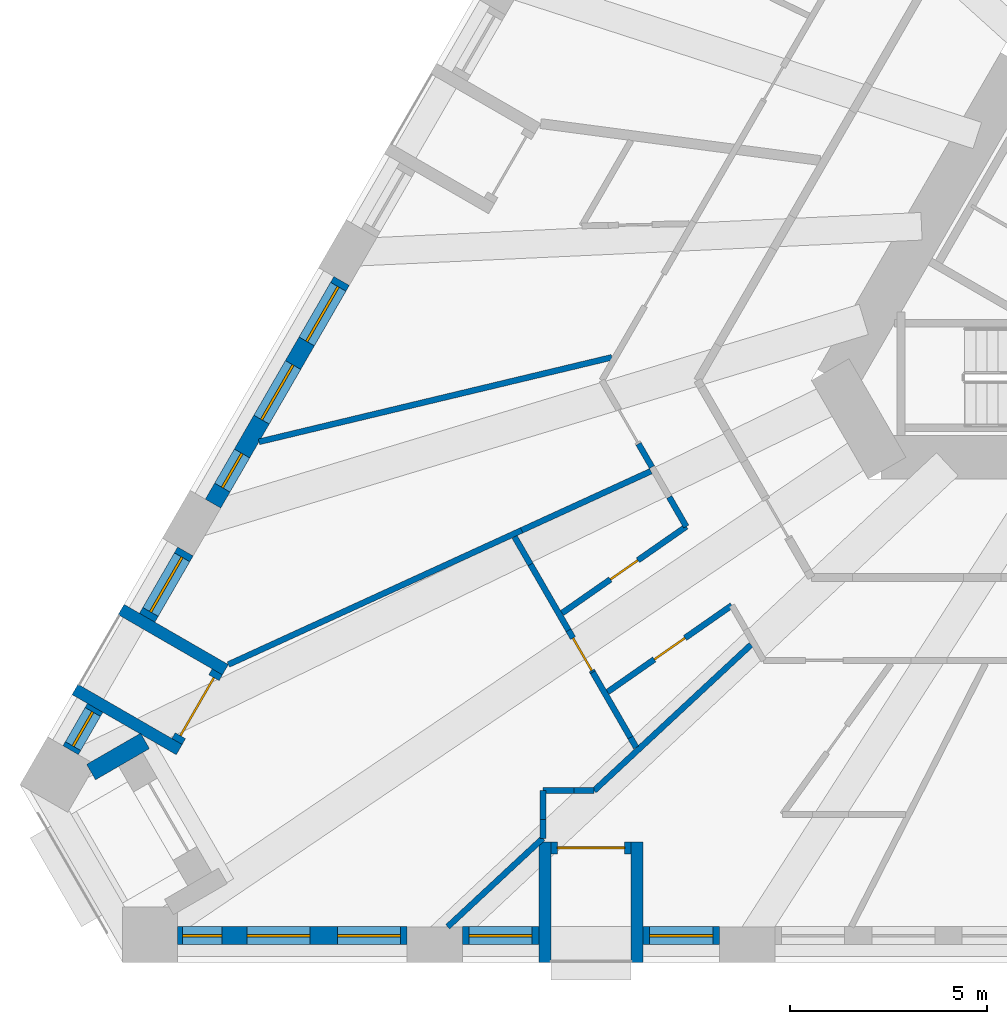
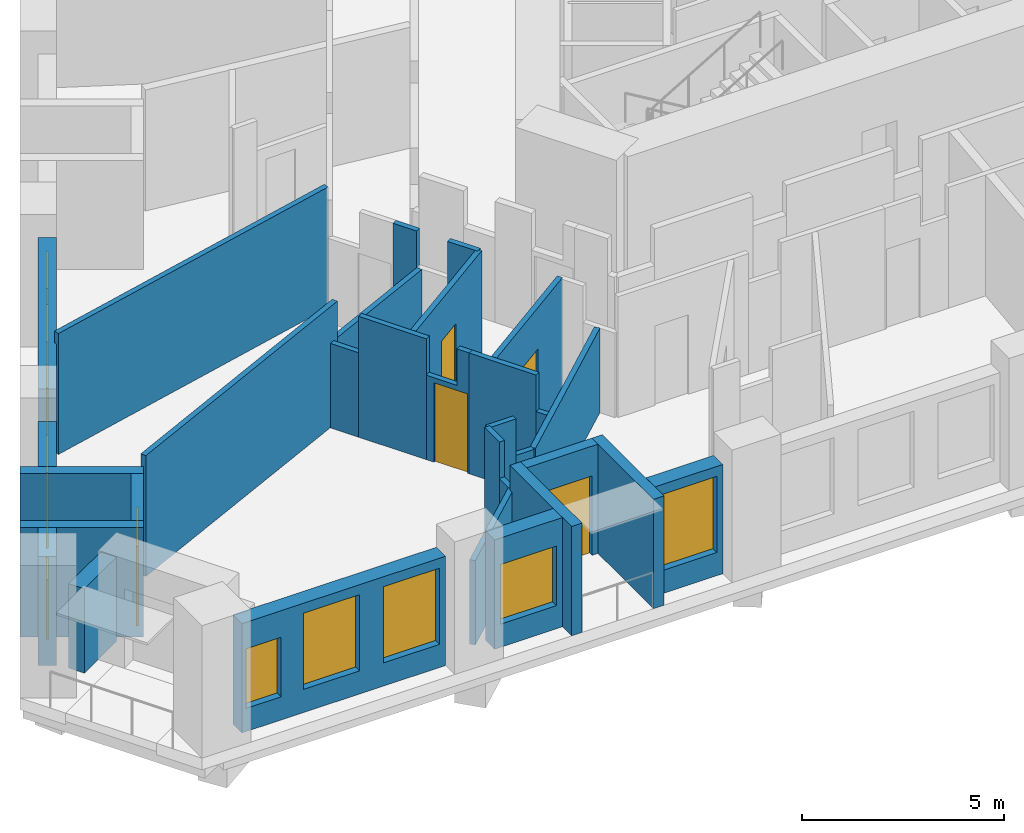
# One storey, part 2 of 14: 31 walls, 10 windows, 5 doors, 15 openings.
"""IFC4 building model written with IfcOpenShell, lengths in metres."""

import ifcopenshell
import ifcopenshell.guid

model = None  # the IFC model being written
_history = None  # IfcOwnerHistory: only IFC2X3 demands one
_inside = {}  # id of a spatial element -> (the spatial element, [elements in it])
_under = {}  # id of a project, library or spatial element -> (it, [spatial elements below it])
_declared = {}  # id of a project -> (the project, [libraries it declares])
_typed = {}  # id of a type object -> (the type object, [elements of that type])
_made_of = {}  # id of a material, layer set ... -> (it, [elements and type objects made of it])


def new_model(schema):
    """Start an empty IFC model of exactly this schema.

    Asked for "IFC4X3", IfcOpenShell would pick the latest addendum, in which some entities
    have other attributes; the version numbers below select the first issue.
    IFC2X3 requires an IfcOwnerHistory on every rooted entity: one is made here for all.
    """
    global model, _history
    if schema == "IFC4X3":
        model = ifcopenshell.file(schema_version=(4, 3, 0, 0))
    else:
        model = ifcopenshell.file(schema=schema)
    _inside.clear()
    _under.clear()
    _declared.clear()
    _typed.clear()
    _made_of.clear()
    _history = None
    if model.schema == "IFC2X3":
        org = make("IfcOrganization", Name="unknown")
        user = make(
            "IfcPersonAndOrganization",
            ThePerson=make("IfcPerson", FamilyName="unknown"),
            TheOrganization=org,
        )
        app = make(
            "IfcApplication",
            ApplicationDeveloper=org,
            Version="unknown",
            ApplicationFullName="unknown",
            ApplicationIdentifier="unknown",
        )
        _history = make(
            "IfcOwnerHistory",
            OwningUser=user,
            OwningApplication=app,
            ChangeAction="ADDED",
            CreationDate=0,
        )
    return model


def make(cls, **values):
    """One entity of the class cls with the attributes given. An attribute that is None is left unset."""
    return model.create_entity(
        cls, **{name: value for name, value in values.items() if value is not None}
    )


def rooted(cls, **values):
    """An entity with a GlobalId (a new one), such as an element, a storey or a relation."""
    return make(cls, GlobalId=ifcopenshell.guid.new(), OwnerHistory=_history, **values)


def si_unit(unit_type, name, prefix=None):
    """IfcSIUnit, for example si_unit("LENGTHUNIT", "METRE", prefix="MILLI")."""
    return make("IfcSIUnit", UnitType=unit_type, Prefix=prefix, Name=name)


def assignment(units):
    """IfcUnitAssignment: the units of a project."""
    return None if units is None else make("IfcUnitAssignment", Units=units)


def point(xyz):
    """IfcCartesianPoint."""
    return None if xyz is None else make("IfcCartesianPoint", Coordinates=xyz)


def direction(xyz):
    """IfcDirection."""
    return None if xyz is None else make("IfcDirection", DirectionRatios=xyz)


def frame(location, z_axis=None, x_axis=None):
    """IfcAxis2Placement3D, a coordinate frame: its origin and axes. An axis left out is left unset."""
    return make(
        "IfcAxis2Placement3D",
        Location=point(location),
        Axis=direction(z_axis),
        RefDirection=direction(x_axis),
    )


def frame_2d(location, x_axis=None):
    """IfcAxis2Placement2D, a coordinate frame in the plane: its origin and x axis."""
    return make(
        "IfcAxis2Placement2D", Location=point(location), RefDirection=direction(x_axis)
    )


def origin():
    """The frame at (0, 0, 0) with its axes left unset."""
    return frame((0.0, 0.0, 0.0))


def place(relative_to, where):
    """IfcLocalPlacement: puts the frame where relative to a parent placement (None: the world)."""
    return make(
        "IfcLocalPlacement", PlacementRelTo=relative_to, RelativePlacement=where
    )


def context(
    kind, dimensions, precision=None, world=None, true_north=None, identifier=None
):
    """IfcGeometricRepresentationContext, for example the 3D "Model" context."""
    return make(
        "IfcGeometricRepresentationContext",
        ContextIdentifier=identifier,
        ContextType=kind,
        CoordinateSpaceDimension=dimensions,
        Precision=precision,
        WorldCoordinateSystem=world,
        TrueNorth=true_north,
    )


def subcontext(parent, identifier, kind, view, scale=None):
    """IfcGeometricRepresentationSubContext, for example "Body" below "Model"."""
    return make(
        "IfcGeometricRepresentationSubContext",
        ContextIdentifier=identifier,
        ContextType=kind,
        ParentContext=parent,
        TargetScale=scale,
        TargetView=view,
    )


def project(units=None, contexts=None):
    """IfcProject with its units and contexts."""
    return rooted(
        "IfcProject",
        Name="project",
        RepresentationContexts=contexts,
        UnitsInContext=assignment(units),
    )


def spatial(cls, under=None, at=None, **own):
    """A site, building, storey or space (cls), placed at a placement, below another one or the project."""
    s = rooted(cls, ObjectPlacement=at, **own)
    if under is not None:
        _under.setdefault(under.id(), (under, []))[1].append(s)
    return s


def polyline(points):
    """IfcPolyline through the points."""
    return make("IfcPolyline", Points=[point(p) for p in points])


def profile(cls, at=None, kind="AREA", **sizes):
    """A parametric profile (cls). Its sizes go by their IFC names, for example OverallWidth=200.0."""
    return make(cls, ProfileType=kind, Position=at, **sizes)


def rectangle(**sizes):
    """IfcRectangleProfileDef."""
    return profile("IfcRectangleProfileDef", **sizes)


def outline(outer, holes=None, kind="AREA"):
    """IfcArbitraryClosedProfileDef: a profile drawn as a closed curve; with holes, ...WithVoids."""
    if holes is None:
        return make("IfcArbitraryClosedProfileDef", ProfileType=kind, OuterCurve=outer)
    return make(
        "IfcArbitraryProfileDefWithVoids",
        ProfileType=kind,
        OuterCurve=outer,
        InnerCurves=holes,
    )


def extrude(swept, where, along, depth):
    """IfcExtrudedAreaSolid: the profile swept, set in the frame where, extruded along a direction by depth."""
    return make(
        "IfcExtrudedAreaSolid",
        SweptArea=swept,
        Position=where,
        ExtrudedDirection=direction(along),
        Depth=depth,
    )


def shape(context_of_items, identifier, shape_type, items):
    """IfcShapeRepresentation: the items that make up one representation, for example the "Body"."""
    return make(
        "IfcShapeRepresentation",
        ContextOfItems=context_of_items,
        RepresentationIdentifier=identifier,
        RepresentationType=shape_type,
        Items=items,
    )


def material(Name=None, Category=None):
    """IfcMaterial."""
    return make("IfcMaterial", Name=Name, Category=Category)


def layer(
    of_material, thickness, ventilated=None, Name=None, Category=None, Priority=None
):
    """IfcMaterialLayer: one layer of a wall or slab, of a material (None: an air gap)."""
    return make(
        "IfcMaterialLayer",
        Material=of_material,
        LayerThickness=thickness,
        IsVentilated=ventilated,
        Name=Name,
        Category=Category,
        Priority=Priority,
    )


def layer_set(layers, Name=None):
    """IfcMaterialLayerSet."""
    return make("IfcMaterialLayerSet", MaterialLayers=layers, LayerSetName=Name)


def made_of(thing, what):
    """Note that an element or type object is made of a material, layer set ...; save() writes the relation."""
    if what is not None:
        _made_of.setdefault(what.id(), (what, []))[1].append(thing)
    return thing


def type_object(cls, material=None, **own):
    """A type object (cls), such as IfcWallType, which elements share."""
    return made_of(rooted(cls, **own), material)


def element(
    cls,
    number,
    at=None,
    inside=None,
    cuts=None,
    type_object=None,
    material=None,
    context=None,
    identifier="Body",
    shape_type=None,
    held_by="IfcProductDefinitionShape",
    body=None,
    shapes=None,
    **own,
):
    """One element of the class cls, such as IfcWall. Its Tag is "e" and its number.

    at: its placement. inside: the storey or other place that contains it. cuts: it is an
    opening in that element (IfcRelVoidsElement). A single representation is given by context,
    identifier, shape_type and body (its items); several are given by shapes. held_by: the class
    of the entity that holds the representations. save() writes the other relations.
    """
    e = rooted(cls, Tag="e%d" % number, ObjectPlacement=at, **own)
    if body is not None:
        shapes = [shape(context, identifier, shape_type, body)]
    if shapes is not None:
        e.Representation = make(held_by, Representations=shapes)
    if inside is not None:
        _inside.setdefault(inside.id(), (inside, []))[1].append(e)
    if cuts is not None:
        rooted(
            "IfcRelVoidsElement", RelatingBuildingElement=cuts, RelatedOpeningElement=e
        )
    if type_object is not None:
        _typed.setdefault(type_object.id(), (type_object, []))[1].append(e)
    return made_of(e, material)


def fill(opening, filler):
    """IfcRelFillsElement: the door or window that sits in an opening."""
    return rooted(
        "IfcRelFillsElement",
        RelatingOpeningElement=opening,
        RelatedBuildingElement=filler,
    )


def aggregate(whole, parts):
    """IfcRelAggregates: a whole, such as a stair, and the parts it consists of."""
    return rooted("IfcRelAggregates", RelatingObject=whole, RelatedObjects=parts)


def save(model, path):
    """Write the relations noted so far, then the file.

    IfcRelAggregates (storeys below a building ...), IfcRelContainedInSpatialStructure (elements
    in a storey), IfcRelDefinesByType, IfcRelAssociatesMaterial and IfcRelDeclares: one each for
    every whole, place, type object, material and project.
    """
    for whole, parts in _under.values():
        aggregate(whole, parts)
    for where, things in _inside.values():
        rooted(
            "IfcRelContainedInSpatialStructure",
            RelatedElements=things,
            RelatingStructure=where,
        )
    for kind, things in _typed.values():
        rooted("IfcRelDefinesByType", RelatedObjects=things, RelatingType=kind)
    for what, things in _made_of.values():
        rooted("IfcRelAssociatesMaterial", RelatedObjects=things, RelatingMaterial=what)
    for by, libraries in _declared.values():
        rooted("IfcRelDeclares", RelatingContext=by, RelatedDefinitions=libraries)
    model.write(path)


model = new_model("IFC4")

# Units and contexts
model_context = context("Model", 3, precision=1e-05, world=origin(), true_north=direction((0.0, 1.0)))
body_context = subcontext(model_context, "Body", "Model", "MODEL_VIEW")
ifc_project = project(units=[si_unit("LENGTHUNIT", "METRE"), si_unit("AREAUNIT", "SQUARE_METRE"), si_unit("VOLUMEUNIT", "CUBIC_METRE"), si_unit("PLANEANGLEUNIT", "RADIAN"), si_unit("MASSUNIT", "GRAM", prefix="KILO")], contexts=[model_context])

# Site, building, storey
site_placement = place(None, origin())
site = spatial("IfcSite", under=ifc_project, at=site_placement, CompositionType="ELEMENT")
building_placement = place(site_placement, origin())
building = spatial("IfcBuilding", under=site, at=building_placement, Name="Tramontana Tower", CompositionType="ELEMENT")
storey_placement = place(building_placement, frame((0.0, 0.0, 30.0)))
storey = spatial("IfcBuildingStorey", under=building, at=storey_placement, Name="L05", CompositionType="ELEMENT", Elevation=30.0)

# Wall, openings, windows
ifc_material_1 = material(Name="Precast concrete 60 MPa", Category="concrete")
ifc_layer_1 = layer(ifc_material_1, 0.449951171875)
ifc_layer_set_1 = layer_set([ifc_layer_1], Name="Precast concrete 60 MPa, 450 mm")
wall_type_1 = type_object("IfcWallType", Name="EW1 Stone-faced precast wall 450", PredefinedType="SOLIDWALL", material=ifc_layer_set_1)
wall_1_placement = place(storey_placement, frame((-22.158447265625, -1.7294921875, 0.0), z_axis=(0.0, 0.0, 1.0), x_axis=(-0.499990498062, -0.866030889661, 0.0)))
wall_1 = element("IfcWall", 1, at=wall_1_placement, inside=storey, type_object=wall_type_1, Name="External wall L05 face 0 bay 6", PredefinedType="SOLIDWALL", context=body_context, shape_type="SweptSolid", body=[
    extrude(rectangle(XDim=6.517822265625, YDim=0.449951171875, at=frame_2d((3.2587890625, 0.0))), origin(), (0.0, 0.0, 1.0), 3.300048828125),
])
opening_1_placement = place(wall_1_placement, frame((0.169677734375, 0.0, 0.699951171875)))
opening_1 = element("IfcOpeningElement", 2, at=opening_1_placement, cuts=wall_1, Name="Opening M1", PredefinedType="OPENING", context=body_context, shape_type="SweptSolid", body=[
    extrude(rectangle(XDim=1.60009765625, YDim=2.300048828125, at=frame_2d((0.800048828125, 1.14990234375))), frame((0.0, 0.23486328125, 0.0), z_axis=(0.0, -1.0, 0.0), x_axis=(1.0, 0.0, 0.0)), (0.0, 0.0, 1.0), 0.469970703125),
])
opening_2_placement = place(wall_1_placement, frame((2.458984375, 0.0, 0.699951171875)))
opening_2 = element("IfcOpeningElement", 3, at=opening_2_placement, cuts=wall_1, Name="Opening M1", PredefinedType="OPENING", context=body_context, shape_type="SweptSolid", body=[
    extrude(rectangle(XDim=1.60009765625, YDim=2.300048828125, at=frame_2d((0.800048828125, 1.14990234375))), frame((0.0, 0.23486328125, 0.0), z_axis=(0.0, -1.0, 0.0), x_axis=(1.0, 0.0, 0.0)), (0.0, 0.0, 1.0), 0.469970703125),
])
opening_3_placement = place(wall_1_placement, frame((5.04833984375, 0.0, 0.699951171875)))
opening_3 = element("IfcOpeningElement", 4, at=opening_3_placement, cuts=wall_1, Name="Opening N1", PredefinedType="OPENING", context=body_context, shape_type="SweptSolid", body=[
    extrude(rectangle(XDim=1.0, YDim=2.300048828125, at=frame_2d((0.5, 1.14990234375))), frame((0.0, 0.23486328125, 0.0), z_axis=(0.0, -1.0, 0.0), x_axis=(1.0, 0.0, 0.0)), (0.0, 0.0, 1.0), 0.469970703125),
])
ifc_material_2 = material(Name="Aluminum frame, double glazing unit", Category="aluminium")
window_type_1 = type_object("IfcWindowType", Name="M1 Window 1.6 x 2.3", PartitioningType="SINGLE_PANEL", PredefinedType="WINDOW", material=ifc_material_2)
window_1_placement = place(opening_1_placement, origin())
window_1 = element("IfcWindow", 5, at=window_1_placement, inside=storey, type_object=window_type_1, Name="Window M1 L05 face 0 module 16", OverallHeight=2.300048828125, OverallWidth=1.60009765625, PartitioningType="SINGLE_PANEL", PredefinedType="WINDOW", context=body_context, shape_type="SweptSolid", body=[
    extrude(rectangle(XDim=1.60009765625, YDim=2.300048828125, at=frame_2d((0.800048828125, 1.14990234375))), frame((0.0, 0.030029296875, 0.0), z_axis=(0.0, -1.0, 0.0), x_axis=(1.0, 0.0, 0.0)), (0.0, 0.0, 1.0), 0.06005859375),
])
fill(opening_1, window_1)
window_2_placement = place(opening_2_placement, origin())
window_2 = element("IfcWindow", 6, at=window_2_placement, inside=storey, type_object=window_type_1, Name="Window M1 L05 face 0 module 17", OverallHeight=2.300048828125, OverallWidth=1.60009765625, PartitioningType="SINGLE_PANEL", PredefinedType="WINDOW", context=body_context, shape_type="SweptSolid", body=[
    extrude(rectangle(XDim=1.60009765625, YDim=2.300048828125, at=frame_2d((0.800048828125, 1.14990234375))), frame((0.0, 0.030029296875, 0.0), z_axis=(0.0, -1.0, 0.0), x_axis=(1.0, 0.0, 0.0)), (0.0, 0.0, 1.0), 0.06005859375),
])
fill(opening_2, window_2)
ifc_material_3 = material(Name="Aluminum frame, double glazing unit", Category="aluminium")
window_type_2 = type_object("IfcWindowType", Name="N1 Window 1 x 2.3", PartitioningType="SINGLE_PANEL", PredefinedType="WINDOW", material=ifc_material_3)
window_3_placement = place(opening_3_placement, origin())
window_3 = element("IfcWindow", 7, at=window_3_placement, inside=storey, type_object=window_type_2, Name="Window N1 L05 face 0 module 18", OverallHeight=2.300048828125, OverallWidth=1.0, PartitioningType="SINGLE_PANEL", PredefinedType="WINDOW", context=body_context, shape_type="SweptSolid", body=[
    extrude(rectangle(XDim=1.0, YDim=2.300048828125, at=frame_2d((0.5, 1.14990234375))), frame((0.0, 0.030029296875, 0.0), z_axis=(0.0, -1.0, 0.0), x_axis=(1.0, 0.0, 0.0)), (0.0, 0.0, 1.0), 0.06005859375),
])
fill(opening_3, window_3)

# Wall, opening, window
wall_2_placement = place(storey_placement, frame((-26.117431640625, -8.586669921875, 0.0), z_axis=(0.0, 0.0, 1.0), x_axis=(-0.499944052521, -0.866057702667, 0.0)))
wall_2 = element("IfcWall", 8, at=wall_2_placement, inside=storey, type_object=wall_type_1, Name="External wall L05 face 0 bay 7", PredefinedType="SOLIDWALL", context=body_context, shape_type="SweptSolid", body=[
    extrude(rectangle(XDim=1.939208984375, YDim=0.449951171875, at=frame_2d((0.9697265625, 0.0))), origin(), (0.0, 0.0, 1.0), 3.300048828125),
])
opening_4_placement = place(wall_2_placement, frame((0.169677734375, 0.0, 0.699951171875)))
opening_4 = element("IfcOpeningElement", 9, at=opening_4_placement, cuts=wall_2, Name="Opening M1", PredefinedType="OPENING", context=body_context, shape_type="SweptSolid", body=[
    extrude(rectangle(XDim=1.60009765625, YDim=2.300048828125, at=frame_2d((0.800048828125, 1.14990234375))), frame((0.0, 0.23486328125, 0.0), z_axis=(0.0, -1.0, 0.0), x_axis=(1.0, 0.0, 0.0)), (0.0, 0.0, 1.0), 0.469970703125),
])
window_4_placement = place(opening_4_placement, origin())
window_4 = element("IfcWindow", 10, at=window_4_placement, inside=storey, type_object=window_type_1, Name="Window M1 L05 face 0 module 19", OverallHeight=2.300048828125, OverallWidth=1.60009765625, PartitioningType="SINGLE_PANEL", PredefinedType="WINDOW", context=body_context, shape_type="SweptSolid", body=[
    extrude(rectangle(XDim=1.60009765625, YDim=2.300048828125, at=frame_2d((0.800048828125, 1.14990234375))), frame((0.0, 0.030029296875, 0.0), z_axis=(0.0, -1.0, 0.0), x_axis=(1.0, 0.0, 0.0)), (0.0, 0.0, 1.0), 0.06005859375),
])
fill(opening_4, window_4)

wall_3_placement = place(storey_placement, frame((-28.40673828125, -12.5517578125, 0.0), z_axis=(0.0, 0.0, 1.0), x_axis=(-0.499995303914, -0.866028115054, 0.0)))
wall_3 = element("IfcWall", 11, at=wall_3_placement, inside=storey, type_object=wall_type_1, Name="External wall L05 face 0 bay 7", PredefinedType="SOLIDWALL", context=body_context, shape_type="SweptSolid", body=[
    extrude(rectangle(XDim=1.2392578125, YDim=0.449951171875, at=frame_2d((0.61962890625, 0.0))), origin(), (0.0, 0.0, 1.0), 3.300048828125),
])
opening_5_placement = place(wall_3_placement, frame((0.11962890625, 0.0, 0.699951171875)))
opening_5 = element("IfcOpeningElement", 12, at=opening_5_placement, cuts=wall_3, Name="Opening N1L", PredefinedType="OPENING", context=body_context, shape_type="SweptSolid", body=[
    extrude(rectangle(XDim=1.0, YDim=1.800048828125, at=frame_2d((0.5, 0.89990234375))), frame((0.0, 0.23486328125, 0.0), z_axis=(0.0, -1.0, 0.0), x_axis=(1.0, 0.0, 0.0)), (0.0, 0.0, 1.0), 0.469970703125),
])
ifc_material_4 = material(Name="Aluminum frame, double glazing unit", Category="aluminium")
window_type_3 = type_object("IfcWindowType", Name="N1L Window 1 x 1.8", PartitioningType="SINGLE_PANEL", PredefinedType="WINDOW", material=ifc_material_4)
window_5_placement = place(opening_5_placement, origin())
window_5 = element("IfcWindow", 13, at=window_5_placement, inside=storey, type_object=window_type_3, Name="Window N1L L05 face 0 module 21", OverallHeight=1.800048828125, OverallWidth=1.0, PartitioningType="SINGLE_PANEL", PredefinedType="WINDOW", context=body_context, shape_type="SweptSolid", body=[
    extrude(rectangle(XDim=1.0, YDim=1.800048828125, at=frame_2d((0.5, 0.89990234375))), frame((0.0, 0.030029296875, 0.0), z_axis=(0.0, -1.0, 0.0), x_axis=(1.0, 0.0, 0.0)), (0.0, 0.0, 1.0), 0.06005859375),
])
fill(opening_5, window_5)

# Wall, openings, windows
wall_4_placement = place(storey_placement, frame((-26.312744140625, -18.324951171875, 0.0), z_axis=(0.0, 0.0, 1.0), x_axis=(1.0, 0.0, 0.0)))
wall_4 = element("IfcWall", 14, at=wall_4_placement, inside=storey, type_object=wall_type_1, Name="External wall L05 face 1 bay 1", PredefinedType="SOLIDWALL", context=body_context, shape_type="SweptSolid", body=[
    extrude(rectangle(XDim=5.81787109375, YDim=0.449951171875, at=frame_2d((2.908935546875, 0.0))), origin(), (0.0, 0.0, 1.0), 3.300048828125),
])
opening_6_placement = place(wall_4_placement, frame((0.11962890625, 0.0, 0.699951171875)))
opening_6 = element("IfcOpeningElement", 15, at=opening_6_placement, cuts=wall_4, Name="Opening N1L", PredefinedType="OPENING", context=body_context, shape_type="SweptSolid", body=[
    extrude(rectangle(XDim=1.0, YDim=1.800048828125, at=frame_2d((0.5, 0.89990234375))), frame((0.0, 0.23486328125, 0.0), z_axis=(0.0, -1.0, 0.0), x_axis=(1.0, 0.0, 0.0)), (0.0, 0.0, 1.0), 0.469970703125),
])
opening_7_placement = place(wall_4_placement, frame((1.759033203125, 0.0, 0.699951171875)))
opening_7 = element("IfcOpeningElement", 16, at=opening_7_placement, cuts=wall_4, Name="Opening M1", PredefinedType="OPENING", context=body_context, shape_type="SweptSolid", body=[
    extrude(rectangle(XDim=1.60009765625, YDim=2.300048828125, at=frame_2d((0.800048828125, 1.14990234375))), frame((0.0, 0.23486328125, 0.0), z_axis=(0.0, -1.0, 0.0), x_axis=(1.0, 0.0, 0.0)), (0.0, 0.0, 1.0), 0.469970703125),
])
opening_8_placement = place(wall_4_placement, frame((4.04833984375, 0.0, 0.699951171875)))
opening_8 = element("IfcOpeningElement", 17, at=opening_8_placement, cuts=wall_4, Name="Opening M1", PredefinedType="OPENING", context=body_context, shape_type="SweptSolid", body=[
    extrude(rectangle(XDim=1.60009765625, YDim=2.300048828125, at=frame_2d((0.800048828125, 1.14990234375))), frame((0.0, 0.23486328125, 0.0), z_axis=(0.0, -1.0, 0.0), x_axis=(1.0, 0.0, 0.0)), (0.0, 0.0, 1.0), 0.469970703125),
])
window_6_placement = place(opening_7_placement, origin())
window_6 = element("IfcWindow", 18, at=window_6_placement, inside=storey, type_object=window_type_1, Name="Window M1 L05 face 1 module 2", OverallHeight=2.300048828125, OverallWidth=1.60009765625, PartitioningType="SINGLE_PANEL", PredefinedType="WINDOW", context=body_context, shape_type="SweptSolid", body=[
    extrude(rectangle(XDim=1.60009765625, YDim=2.300048828125, at=frame_2d((0.800048828125, 1.14990234375))), frame((0.0, 0.030029296875, 0.0), z_axis=(0.0, -1.0, 0.0), x_axis=(1.0, 0.0, 0.0)), (0.0, 0.0, 1.0), 0.06005859375),
])
fill(opening_7, window_6)
window_7_placement = place(opening_8_placement, origin())
window_7 = element("IfcWindow", 19, at=window_7_placement, inside=storey, type_object=window_type_1, Name="Window M1 L05 face 1 module 3", OverallHeight=2.300048828125, OverallWidth=1.60009765625, PartitioningType="SINGLE_PANEL", PredefinedType="WINDOW", context=body_context, shape_type="SweptSolid", body=[
    extrude(rectangle(XDim=1.60009765625, YDim=2.300048828125, at=frame_2d((0.800048828125, 1.14990234375))), frame((0.0, 0.030029296875, 0.0), z_axis=(0.0, -1.0, 0.0), x_axis=(1.0, 0.0, 0.0)), (0.0, 0.0, 1.0), 0.06005859375),
])
fill(opening_8, window_7)
window_8_placement = place(opening_6_placement, origin())
window_8 = element("IfcWindow", 20, at=window_8_placement, inside=storey, type_object=window_type_3, Name="Window N1L L05 face 1 module 1", OverallHeight=1.800048828125, OverallWidth=1.0, PartitioningType="SINGLE_PANEL", PredefinedType="WINDOW", context=body_context, shape_type="SweptSolid", body=[
    extrude(rectangle(XDim=1.0, YDim=1.800048828125, at=frame_2d((0.5, 0.89990234375))), frame((0.0, 0.030029296875, 0.0), z_axis=(0.0, -1.0, 0.0), x_axis=(1.0, 0.0, 0.0)), (0.0, 0.0, 1.0), 0.06005859375),
])
fill(opening_6, window_8)

# Wall, opening, window
wall_5_placement = place(storey_placement, frame((-19.094970703125, -18.324951171875, 0.0), z_axis=(0.0, 0.0, 1.0), x_axis=(1.0, 0.0, 0.0)))
wall_5 = element("IfcWall", 21, at=wall_5_placement, inside=storey, type_object=wall_type_1, Name="External wall L05 face 1 bay 2", PredefinedType="SOLIDWALL", context=body_context, shape_type="SweptSolid", body=[
    extrude(rectangle(XDim=1.939453125, YDim=0.449951171875, at=frame_2d((0.9697265625, 0.0))), origin(), (0.0, 0.0, 1.0), 3.300048828125),
])
opening_9_placement = place(wall_5_placement, frame((0.169677734375, 0.0, 0.699951171875)))
opening_9 = element("IfcOpeningElement", 22, at=opening_9_placement, cuts=wall_5, Name="Opening M1L", PredefinedType="OPENING", context=body_context, shape_type="SweptSolid", body=[
    extrude(rectangle(XDim=1.60009765625, YDim=1.800048828125, at=frame_2d((0.800048828125, 0.89990234375))), frame((0.0, 0.23486328125, 0.0), z_axis=(0.0, -1.0, 0.0), x_axis=(1.0, 0.0, 0.0)), (0.0, 0.0, 1.0), 0.469970703125),
])
ifc_material_5 = material(Name="Aluminum frame, double glazing unit", Category="aluminium")
window_type_4 = type_object("IfcWindowType", Name="M1L Window 1.6 x 1.8", PartitioningType="SINGLE_PANEL", PredefinedType="WINDOW", material=ifc_material_5)
window_9_placement = place(opening_9_placement, origin())
window_9 = element("IfcWindow", 23, at=window_9_placement, inside=storey, type_object=window_type_4, Name="Window M1L L05 face 1 module 4", OverallHeight=1.800048828125, OverallWidth=1.60009765625, PartitioningType="SINGLE_PANEL", PredefinedType="WINDOW", context=body_context, shape_type="SweptSolid", body=[
    extrude(rectangle(XDim=1.60009765625, YDim=1.800048828125, at=frame_2d((0.800048828125, 0.89990234375))), frame((0.0, 0.030029296875, 0.0), z_axis=(0.0, -1.0, 0.0), x_axis=(1.0, 0.0, 0.0)), (0.0, 0.0, 1.0), 0.06005859375),
])
fill(opening_9, window_9)

wall_6_placement = place(storey_placement, frame((-14.51611328125, -18.324951171875, 0.0), z_axis=(0.0, 0.0, 1.0), x_axis=(1.0, 0.0, 0.0)))
wall_6 = element("IfcWall", 24, at=wall_6_placement, inside=storey, type_object=wall_type_1, Name="External wall L05 face 1 bay 2", PredefinedType="SOLIDWALL", context=body_context, shape_type="SweptSolid", body=[
    extrude(rectangle(XDim=1.939208984375, YDim=0.449951171875, at=frame_2d((0.9697265625, 0.0))), origin(), (0.0, 0.0, 1.0), 3.300048828125),
])
opening_10_placement = place(wall_6_placement, frame((0.169677734375, 0.0, 0.699951171875)))
opening_10 = element("IfcOpeningElement", 25, at=opening_10_placement, cuts=wall_6, Name="Opening M1", PredefinedType="OPENING", context=body_context, shape_type="SweptSolid", body=[
    extrude(rectangle(XDim=1.60009765625, YDim=2.300048828125, at=frame_2d((0.800048828125, 1.14990234375))), frame((0.0, 0.23486328125, 0.0), z_axis=(0.0, -1.0, 0.0), x_axis=(1.0, 0.0, 0.0)), (0.0, 0.0, 1.0), 0.469970703125),
])
window_10_placement = place(opening_10_placement, origin())
window_10 = element("IfcWindow", 26, at=window_10_placement, inside=storey, type_object=window_type_1, Name="Window M1 L05 face 1 module 6", OverallHeight=2.300048828125, OverallWidth=1.60009765625, PartitioningType="SINGLE_PANEL", PredefinedType="WINDOW", context=body_context, shape_type="SweptSolid", body=[
    extrude(rectangle(XDim=1.60009765625, YDim=2.300048828125, at=frame_2d((0.800048828125, 1.14990234375))), frame((0.0, 0.030029296875, 0.0), z_axis=(0.0, -1.0, 0.0), x_axis=(1.0, 0.0, 0.0)), (0.0, 0.0, 1.0), 0.06005859375),
])
fill(opening_10, window_10)

# Wall
wall_7_placement = place(storey_placement, frame((-28.509033203125, -14.17919921875, 0.0), z_axis=(0.0, 0.0, 1.0), x_axis=(0.866046570609, 0.499963336192, 0.0)))
element("IfcWall", 27, at=wall_7_placement, inside=storey, type_object=wall_type_1, Name="Corner loggia side wall L05 K01r", PredefinedType="SOLIDWALL", context=body_context, shape_type="SweptSolid", body=[
    extrude(rectangle(XDim=1.5791015625, YDim=0.449951171875, at=frame_2d((0.78955078125, 0.0))), origin(), (0.0, 0.0, 1.0), 2.550048828125),
])

# Wall, opening, door
ifc_material_6 = material(Name="Precast concrete 60 MPa", Category="concrete")
ifc_layer_2 = layer(ifc_material_6, 0.300048828125)
ifc_layer_set_2 = layer_set([ifc_layer_2], Name="LW1 Stone-faced loggia wall 300")
wall_type_2 = type_object("IfcWallType", Name="LW1 Stone-faced loggia wall 300", PredefinedType="SOLIDWALL", material=ifc_layer_set_2)
wall_8_placement = place(storey_placement, frame((-25.31005859375, -11.638427734375, 0.0), z_axis=(0.0, 0.0, 1.0), x_axis=(-0.500040236659, -0.866002171892, 0.0)))
wall_8 = element("IfcWall", 28, at=wall_8_placement, inside=storey, type_object=wall_type_2, Name="Loggia wall L05 G0S0.19", PredefinedType="SOLIDWALL", context=body_context, shape_type="SweptSolid", body=[
    extrude(rectangle(XDim=2.039306640625, YDim=0.300048828125, at=frame_2d((1.01953125, 0.0))), origin(), (0.0, 0.0, 1.0), 3.300048828125),
])
opening_11_placement = place(wall_8_placement, frame((0.169677734375, 0.0, 0.0)))
opening_11 = element("IfcOpeningElement", 29, at=opening_11_placement, cuts=wall_8, Name="Opening BD-0S0-19", PredefinedType="OPENING", context=body_context, shape_type="SweptSolid", body=[
    extrude(rectangle(XDim=1.699951171875, YDim=2.39990234375, at=frame_2d((0.85009765625, 1.199951171875))), frame((0.0, 0.159912109375, 0.0), z_axis=(0.0, -1.0, 0.0), x_axis=(1.0, 0.0, 0.0)), (0.0, 0.0, 1.0), 0.320068359375),
])
ifc_material_7 = material(Name="Aluminum frame, double glazing unit", Category="aluminium")
door_type_1 = type_object("IfcDoorType", Name="BD1 Sliding door 1.7 x 2.4", OperationType="SLIDING_TO_LEFT", PredefinedType="DOOR", material=ifc_material_7)
door_1_placement = place(opening_11_placement, origin())
door_1 = element("IfcDoor", 30, at=door_1_placement, inside=storey, type_object=door_type_1, Name="Loggia door L05 G0S0.19", OperationType="SLIDING_TO_LEFT", OverallHeight=2.39990234375, OverallWidth=1.699951171875, PredefinedType="DOOR", context=body_context, shape_type="SweptSolid", body=[
    extrude(rectangle(XDim=1.699951171875, YDim=2.39990234375, at=frame_2d((0.85009765625, 1.199951171875))), frame((0.0, 0.02490234375, 0.0), z_axis=(0.0, -1.0, 0.0), x_axis=(1.0, 0.0, 0.0)), (0.0, 0.0, 1.0), 0.050048828125),
])
fill(opening_11, door_1)

# Walls
for number, where, z_axis, x_axis, name in (
    (31, (-27.74658203125, -10.05859375, 0.0), (0.0, 0.0, 1.0), (0.866037623948, -0.499978833458, 0.0), "Loggia return L05 G0S0.19a"),
    (32, (-28.916259765625, -12.08447265625, 0.0), (0.0, 0.0, 1.0), (0.866037623948, -0.499978833458, 0.0), "Loggia return L05 G0S0.19b"),
):
    element("IfcWall", number, at=place(storey_placement, frame(where, z_axis=z_axis, x_axis=x_axis)), inside=storey, type_object=wall_type_2, Name=name, PredefinedType="SOLIDWALL", context=body_context, shape_type="SweptSolid", body=[
        extrude(rectangle(XDim=3.050048828125, YDim=0.300048828125, at=frame_2d((1.52490234375, 0.0))), origin(), (0.0, 0.0, 1.0), 3.300048828125),
    ])

# Wall, opening, door
wall_9_placement = place(storey_placement, frame((-16.85546875, -16.10009765625, 0.0), z_axis=(0.0, 0.0, 1.0), x_axis=(1.0, 0.0, 0.0)))
wall_9 = element("IfcWall", 33, at=wall_9_placement, inside=storey, type_object=wall_type_2, Name="Loggia wall L05 G0S1.4", PredefinedType="SOLIDWALL", context=body_context, shape_type="SweptSolid", body=[
    extrude(rectangle(XDim=2.039306640625, YDim=0.300048828125, at=frame_2d((1.01953125, 0.0))), origin(), (0.0, 0.0, 1.0), 3.300048828125),
])
opening_12_placement = place(wall_9_placement, frame((0.169677734375, 0.0, 0.0)))
opening_12 = element("IfcOpeningElement", 34, at=opening_12_placement, cuts=wall_9, Name="Opening BD-0S1-04", PredefinedType="OPENING", context=body_context, shape_type="SweptSolid", body=[
    extrude(rectangle(XDim=1.699951171875, YDim=2.39990234375, at=frame_2d((0.85009765625, 1.199951171875))), frame((0.0, 0.159912109375, 0.0), z_axis=(0.0, -1.0, 0.0), x_axis=(1.0, 0.0, 0.0)), (0.0, 0.0, 1.0), 0.320068359375),
])
door_2_placement = place(opening_12_placement, origin())
door_2 = element("IfcDoor", 35, at=door_2_placement, inside=storey, type_object=door_type_1, Name="Loggia door L05 G0S1.4", OperationType="SLIDING_TO_LEFT", OverallHeight=2.39990234375, OverallWidth=1.699951171875, PredefinedType="DOOR", context=body_context, shape_type="SweptSolid", body=[
    extrude(rectangle(XDim=1.699951171875, YDim=2.39990234375, at=frame_2d((0.85009765625, 1.199951171875))), frame((0.0, 0.02490234375, 0.0), z_axis=(0.0, -1.0, 0.0), x_axis=(1.0, 0.0, 0.0)), (0.0, 0.0, 1.0), 0.050048828125),
])
fill(opening_12, door_2)

# Walls
for number, where, z_axis, x_axis, name in (
    (36, (-17.005615234375, -19.0, 0.0), (0.0, 0.0, 1.0), (0.0, 1.0, 0.0), "Loggia return L05 G0S1.4a"),
    (37, (-14.666259765625, -19.0, 0.0), (0.0, 0.0, 1.0), (0.0, 1.0, 0.0), "Loggia return L05 G0S1.4b"),
):
    element("IfcWall", number, at=place(storey_placement, frame(where, z_axis=z_axis, x_axis=x_axis)), inside=storey, type_object=wall_type_2, Name=name, PredefinedType="SOLIDWALL", context=body_context, shape_type="SweptSolid", body=[
        extrude(rectangle(XDim=3.050048828125, YDim=0.300048828125, at=frame_2d((1.52490234375, 0.0))), origin(), (0.0, 0.0, 1.0), 3.300048828125),
    ])
ifc_material_8 = material(Name="Gypsum board partition")
ifc_layer_3 = layer(ifc_material_8, 0.14990234375)
ifc_layer_set_3 = layer_set([ifc_layer_3], Name="PARTITION 150")
wall_type_3 = type_object("IfcWallType", Name="PARTITION 150", PredefinedType="PARTITIONING", material=ifc_layer_set_3)
wall_10_placement = place(storey_placement, frame((-25.030029296875, -11.45361328125, 0.0), z_axis=(0.0, 0.0, 1.0), x_axis=(0.9093167054, 0.416104709516, 0.0)))
element("IfcWall", 38, at=wall_10_placement, inside=storey, type_object=wall_type_3, Name="Wall v01-pw00-0", PredefinedType="PARTITIONING", context=body_context, shape_type="SweptSolid", body=[
    extrude(rectangle(XDim=8.178466796875, YDim=0.14990234375, at=frame_2d((4.08935546875, 0.0))), origin(), (0.0, 0.0, 1.0), 3.64990234375),
])
wall_11_placement = place(storey_placement, frame((-17.59326171875, -8.050537109375, 0.0), z_axis=(0.0, 0.0, 1.0), x_axis=(0.909319198756, 0.416099260722, 0.0)))
element("IfcWall", 39, at=wall_11_placement, inside=storey, type_object=wall_type_3, Name="Wall v01-pw00-1", PredefinedType="PARTITIONING", context=body_context, shape_type="SweptSolid", body=[
    extrude(rectangle(XDim=3.6025390625, YDim=0.14990234375, at=frame_2d((1.80126953125, 0.0))), origin(), (0.0, 0.0, 1.0), 2.550048828125),
])
wall_12_placement = place(storey_placement, frame((-24.2529296875, -5.80712890625, 0.0), z_axis=(0.0, 0.0, 1.0), x_axis=(0.97251005754, 0.232860876887, 0.0)))
element("IfcWall", 40, at=wall_12_placement, inside=storey, type_object=wall_type_3, Name="Wall v01-pw01", PredefinedType="PARTITIONING", context=body_context, shape_type="SweptSolid", body=[
    extrude(rectangle(XDim=9.197021484375, YDim=0.14990234375, at=frame_2d((4.5986328125, 0.0))), origin(), (0.0, 0.0, 1.0), 3.64990234375),
])
wall_13_placement = place(storey_placement, frame((-17.055908203125, -15.857177734375, 0.0), z_axis=(0.0, 0.0, 1.0), x_axis=(-0.732360368871, -0.680917241746, 0.0)))
element("IfcWall", 41, at=wall_13_placement, inside=storey, type_object=wall_type_3, Name="Wall v01-pw02-0", PredefinedType="PARTITIONING", context=body_context, shape_type="SweptSolid", body=[
    extrude(rectangle(XDim=3.293701171875, YDim=0.14990234375, at=frame_2d((1.64697265625, 0.0))), origin(), (0.0, 0.0, 1.0), 2.550048828125),
])
wall_14_placement = place(storey_placement, frame((-17.0556640625, -14.65185546875, 0.0), z_axis=(0.0, 0.0, 1.0), x_axis=(0.0, -1.0, 0.0)))
element("IfcWall", 42, at=wall_14_placement, inside=storey, type_object=wall_type_3, Name="Wall v01-pw03-0", PredefinedType="PARTITIONING", context=body_context, shape_type="SweptSolid", body=[
    extrude(rectangle(XDim=0.731689453125, YDim=0.14990234375, at=frame_2d((0.36572265625, 0.0))), origin(), (0.0, 0.0, 1.0), 3.64990234375),
])
wall_15_placement = place(storey_placement, frame((-17.0556640625, -15.383544921875, 0.0), z_axis=(0.0, 0.0, 1.0), x_axis=(0.0, -1.0, 0.0)))
element("IfcWall", 43, at=wall_15_placement, inside=storey, type_object=wall_type_3, Name="Wall v01-pw03-1", PredefinedType="PARTITIONING", context=body_context, shape_type="SweptSolid", body=[
    extrude(rectangle(XDim=0.4736328125, YDim=0.14990234375, at=frame_2d((0.23681640625, 0.0))), origin(), (0.0, 0.0, 1.0), 2.550048828125),
])

# Wall, opening, door
wall_16_placement = place(storey_placement, frame((-16.570068359375, -10.14990234375, 0.0), z_axis=(0.0, 0.0, 1.0), x_axis=(0.820344824586, 0.571869188517, 0.0)))
wall_16 = element("IfcWall", 44, at=wall_16_placement, inside=storey, type_object=wall_type_3, Name="Wall v01-pw04", PredefinedType="PARTITIONING", context=body_context, shape_type="SweptSolid", body=[
    extrude(rectangle(XDim=3.8388671875, YDim=0.14990234375, at=frame_2d((1.91943359375, 0.0))), origin(), (0.0, 0.0, 1.0), 3.64990234375),
])
opening_13_placement = place(wall_16_placement, frame((1.494384765625, 0.0, 0.0)))
opening_13 = element("IfcOpeningElement", 45, at=opening_13_placement, cuts=wall_16, Name="Opening B0B-15", PredefinedType="OPENING", context=body_context, shape_type="SweptSolid", body=[
    extrude(rectangle(XDim=0.85009765625, YDim=2.39990234375, at=frame_2d((0.425048828125, 1.199951171875))), frame((0.0, 0.0849609375, 0.0), z_axis=(0.0, -1.0, 0.0), x_axis=(1.0, 0.0, 0.0)), (0.0, 0.0, 1.0), 0.169921875),
])
ifc_material_9 = material(Name="Painted timber", Category="wood")
door_type_2 = type_object("IfcDoorType", Name="DOOR BATH 850", OperationType="SINGLE_SWING_LEFT", PredefinedType="DOOR", material=ifc_material_9)
door_3_placement = place(opening_13_placement, origin())
door_3 = element("IfcDoor", 46, at=door_3_placement, inside=storey, type_object=door_type_2, Name="Door B0B-15", OperationType="SINGLE_SWING_LEFT", OverallHeight=2.39990234375, OverallWidth=0.85009765625, PredefinedType="DOOR", context=body_context, shape_type="SweptSolid", body=[
    extrude(rectangle(XDim=0.85009765625, YDim=2.39990234375, at=frame_2d((0.425048828125, 1.199951171875))), frame((0.0, 0.02490234375, 0.0), z_axis=(0.0, -1.0, 0.0), x_axis=(1.0, 0.0, 0.0)), (0.0, 0.0, 1.0), 0.050048828125),
])
fill(opening_13, door_3)

# Walls
wall_17_placement = place(storey_placement, frame((-15.757080078125, -14.64990234375, 0.0), z_axis=(0.0, 0.0, 1.0), x_axis=(-1.0, 0.0, 0.0)))
element("IfcWall", 47, at=wall_17_placement, inside=storey, type_object=wall_type_3, Name="Wall v01-pw06-0", PredefinedType="PARTITIONING", context=body_context, shape_type="SweptSolid", body=[
    extrude(rectangle(XDim=0.515625, YDim=0.14990234375, at=frame_2d((0.2578125, 0.0))), origin(), (0.0, 0.0, 1.0), 2.550048828125),
])
wall_18_placement = place(storey_placement, frame((-16.272705078125, -14.64990234375, 0.0), z_axis=(0.0, 0.0, 1.0), x_axis=(-1.0, 0.0, 0.0)))
element("IfcWall", 48, at=wall_18_placement, inside=storey, type_object=wall_type_3, Name="Wall v01-pw06-1", PredefinedType="PARTITIONING", context=body_context, shape_type="SweptSolid", body=[
    extrude(rectangle(XDim=0.781005859375, YDim=0.14990234375, at=frame_2d((0.390625, 0.0))), origin(), (0.0, 0.0, 1.0), 3.64990234375),
])
wall_19_placement = place(storey_placement, frame((-14.6904296875, -13.5556640625, 0.0), z_axis=(0.0, 0.0, 1.0), x_axis=(-0.499746649774, 0.866171626203, 0.0)))
element("IfcWall", 49, at=wall_19_placement, inside=storey, type_object=wall_type_3, Name="Wall v01-pw08-0", PredefinedType="PARTITIONING", context=body_context, shape_type="SweptSolid", body=[
    extrude(rectangle(XDim=0.291259765625, YDim=0.14990234375, at=frame_2d((0.1455078125, 0.0))), origin(), (0.0, 0.0, 1.0), 2.550048828125),
])
wall_20_placement = place(storey_placement, frame((-14.8359375, -13.303466796875, 0.0), z_axis=(0.0, 0.0, 1.0), x_axis=(-0.500024487898, 0.866011265228, 0.0)))
element("IfcWall", 50, at=wall_20_placement, inside=storey, type_object=wall_type_3, Name="Wall v01-pw08-1", PredefinedType="PARTITIONING", context=body_context, shape_type="SweptSolid", body=[
    extrude(rectangle(XDim=1.91259765625, YDim=0.14990234375, at=frame_2d((0.956298828125, 0.0))), origin(), (0.0, 0.0, 1.0), 3.64990234375),
])

# Wall, opening, door
wall_21_placement = place(storey_placement, frame((-15.792236328125, -11.647216796875, 0.0), z_axis=(0.0, 0.0, 1.0), x_axis=(-0.500015484165, 0.866016463813, 0.0)))
wall_21 = element("IfcWall", 51, at=wall_21_placement, inside=storey, type_object=wall_type_3, Name="Wall v01-pw08-2", PredefinedType="PARTITIONING", context=body_context, shape_type="SweptSolid", body=[
    extrude(outline(polyline([(0.0, 0.0), (1.22607421875, 0.0), (1.22607421875, 2.550048828125), (0.3486328125, 2.550048828125), (0.3486328125, 3.64990234375), (0.0, 3.64990234375), (0.0, 0.0)])), frame((0.0, 0.074951171875, 0.0), z_axis=(0.0, -1.0, 0.0), x_axis=(1.0, 0.0, 0.0)), (0.0, 0.0, 1.0), 0.14990234375),
])
opening_14_placement = place(wall_21_placement, frame((0.050048828125, 0.0, 0.0)))
opening_14 = element("IfcOpeningElement", 52, at=opening_14_placement, cuts=wall_21, Name="Opening B0B-16", PredefinedType="OPENING", context=body_context, shape_type="SweptSolid", body=[
    extrude(rectangle(XDim=0.949951171875, YDim=2.39990234375, at=frame_2d((0.47509765625, 1.199951171875))), frame((0.0, 0.0849609375, 0.0), z_axis=(0.0, -1.0, 0.0), x_axis=(1.0, 0.0, 0.0)), (0.0, 0.0, 1.0), 0.169921875),
])
ifc_material_10 = material(Name="Painted timber", Category="wood")
door_type_3 = type_object("IfcDoorType", Name="DOOR ROOM 950", OperationType="SINGLE_SWING_LEFT", PredefinedType="DOOR", material=ifc_material_10)
door_4_placement = place(opening_14_placement, origin())
door_4 = element("IfcDoor", 53, at=door_4_placement, inside=storey, type_object=door_type_3, Name="Door B0B-16", OperationType="SINGLE_SWING_RIGHT", OverallHeight=2.39990234375, OverallWidth=0.949951171875, PredefinedType="DOOR", context=body_context, shape_type="SweptSolid", body=[
    extrude(rectangle(XDim=0.949951171875, YDim=2.39990234375, at=frame_2d((0.47509765625, 1.199951171875))), frame((0.0, 0.02490234375, 0.0), z_axis=(0.0, -1.0, 0.0), x_axis=(1.0, 0.0, 0.0)), (0.0, 0.0, 1.0), 0.050048828125),
])
fill(opening_14, door_4)

# Walls
wall_22_placement = place(storey_placement, frame((-16.4052734375, -10.58544921875, 0.0), z_axis=(0.0, 0.0, 1.0), x_axis=(-0.499963437846, 0.866046511925, 0.0)))
element("IfcWall", 54, at=wall_22_placement, inside=storey, type_object=wall_type_3, Name="Wall v01-pw08-3", PredefinedType="PARTITIONING", context=body_context, shape_type="SweptSolid", body=[
    extrude(rectangle(XDim=1.929443359375, YDim=0.14990234375, at=frame_2d((0.96484375, 0.0))), origin(), (0.0, 0.0, 1.0), 3.64990234375),
])
wall_23_placement = place(storey_placement, frame((-17.369873046875, -8.91455078125, 0.0), z_axis=(0.0, 0.0, 1.0), x_axis=(-0.500010476433, 0.866019355129, 0.0)))
element("IfcWall", 55, at=wall_23_placement, inside=storey, type_object=wall_type_3, Name="Wall v01-pw08-4", PredefinedType="PARTITIONING", context=body_context, shape_type="SweptSolid", body=[
    extrude(rectangle(XDim=0.80712890625, YDim=0.14990234375, at=frame_2d((0.403564453125, 0.0))), origin(), (0.0, 0.0, 1.0), 2.550048828125),
])
wall_24_placement = place(storey_placement, frame((-13.4208984375, -7.95458984375, 0.0), z_axis=(0.0, 0.0, 1.0), x_axis=(-0.499975693202, 0.866039436866, 0.0)))
element("IfcWall", 56, at=wall_24_placement, inside=storey, type_object=wall_type_3, Name="Wall v01-pw09-0", PredefinedType="PARTITIONING", context=body_context, shape_type="SweptSolid", body=[
    extrude(rectangle(XDim=0.8623046875, YDim=0.14990234375, at=frame_2d((0.43115234375, 0.0))), origin(), (0.0, 0.0, 1.0), 3.64990234375),
])
wall_25_placement = place(storey_placement, frame((-14.29052734375, -6.447998046875, 0.0), z_axis=(0.0, 0.0, 1.0), x_axis=(-0.500187988959, 0.865916841101, 0.0)))
element("IfcWall", 57, at=wall_25_placement, inside=storey, type_object=wall_type_3, Name="Wall v01-pw09-2", PredefinedType="PARTITIONING", context=body_context, shape_type="SweptSolid", body=[
    extrude(rectangle(XDim=0.680908203125, YDim=0.14990234375, at=frame_2d((0.34033203125, 0.0))), origin(), (0.0, 0.0, 1.0), 3.64990234375),
])

# Wall, opening, door
wall_26_placement = place(storey_placement, frame((-12.2666015625, -9.95361328125, 0.0), z_axis=(0.0, 0.0, 1.0), x_axis=(-0.82031498904, -0.571911985149, 0.0)))
wall_26 = element("IfcWall", 58, at=wall_26_placement, inside=storey, type_object=wall_type_3, Name="Wall v01-pw11", PredefinedType="PARTITIONING", context=body_context, shape_type="SweptSolid", body=[
    extrude(rectangle(XDim=3.8388671875, YDim=0.14990234375, at=frame_2d((1.91943359375, 0.0))), origin(), (0.0, 0.0, 1.0), 3.64990234375),
])
opening_15_placement = place(wall_26_placement, frame((1.444580078125, 0.0, 0.0)))
opening_15 = element("IfcOpeningElement", 59, at=opening_15_placement, cuts=wall_26, Name="Opening B0B-14", PredefinedType="OPENING", context=body_context, shape_type="SweptSolid", body=[
    extrude(rectangle(XDim=0.949951171875, YDim=2.39990234375, at=frame_2d((0.47509765625, 1.199951171875))), frame((0.0, 0.0849609375, 0.0), z_axis=(0.0, -1.0, 0.0), x_axis=(1.0, 0.0, 0.0)), (0.0, 0.0, 1.0), 0.169921875),
])
door_5_placement = place(opening_15_placement, origin())
door_5 = element("IfcDoor", 60, at=door_5_placement, inside=storey, type_object=door_type_3, Name="Door B0B-14", OperationType="SINGLE_SWING_RIGHT", OverallHeight=2.39990234375, OverallWidth=0.949951171875, PredefinedType="DOOR", context=body_context, shape_type="SweptSolid", body=[
    extrude(rectangle(XDim=0.949951171875, YDim=2.39990234375, at=frame_2d((0.47509765625, 1.199951171875))), frame((0.0, 0.02490234375, 0.0), z_axis=(0.0, -1.0, 0.0), x_axis=(1.0, 0.0, 0.0)), (0.0, 0.0, 1.0), 0.050048828125),
])
fill(opening_15, door_5)

# Wall
wall_27_placement = place(storey_placement, frame((-11.77783203125, -10.9501953125, 0.0), z_axis=(0.0, 0.0, 1.0), x_axis=(-0.732385257288, -0.680890472034, 0.0)))
element("IfcWall", 61, at=wall_27_placement, inside=storey, type_object=wall_type_3, Name="Wall v01-pw12-0", PredefinedType="PARTITIONING", context=body_context, shape_type="SweptSolid", body=[
    extrude(rectangle(XDim=5.433349609375, YDim=0.14990234375, at=frame_2d((2.716796875, 0.0))), origin(), (0.0, 0.0, 1.0), 2.550048828125),
])

save(model, "model.ifc")
